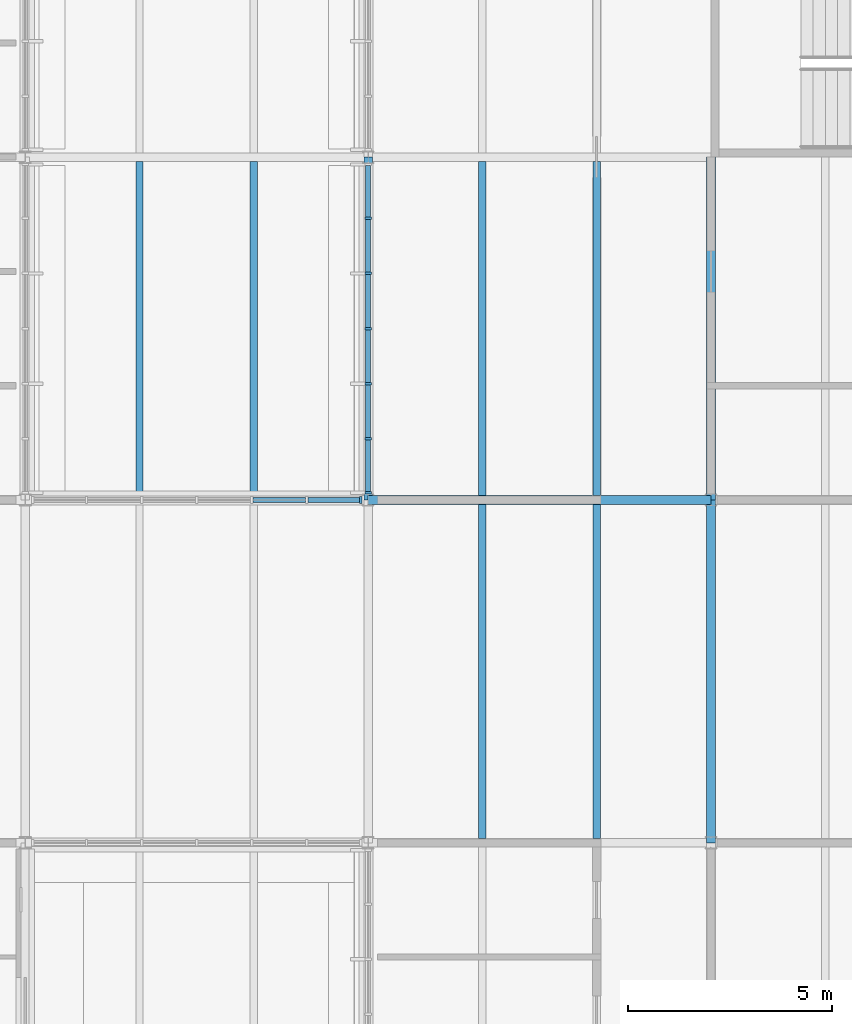
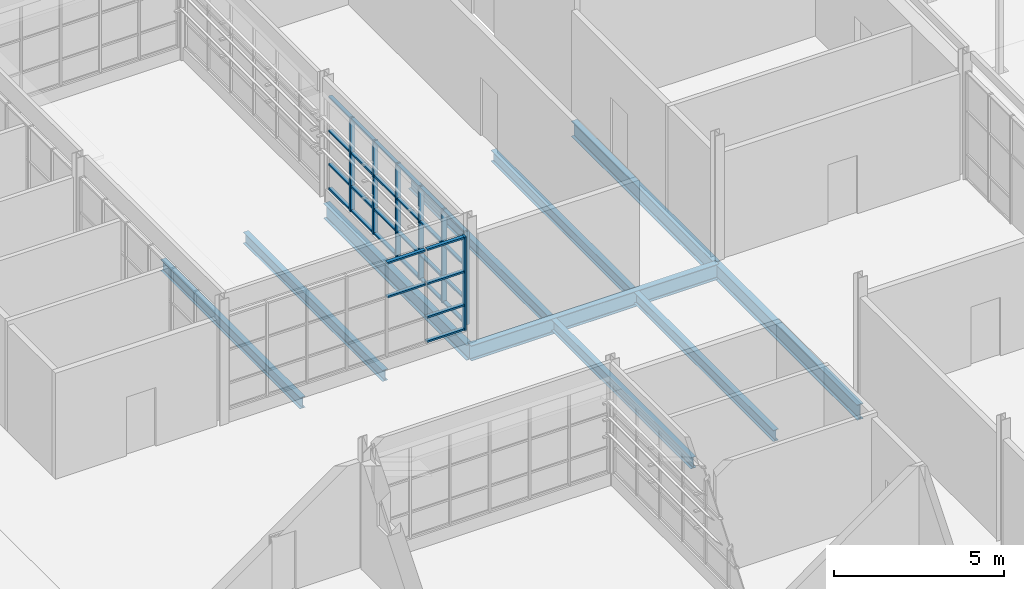
# One storey, part 51 of 116: 37 members, 10 beams, 2 elements without a shape of their own.
"""IFC4 building model written with IfcOpenShell, lengths in metres."""

from ifc_helpers import new_model, si_unit, direction, frame, origin, origin_2d, place, context, subcontext, project, spatial, rectangle, i_section, extrude, material, layer, layer_set, material_profile, profile_set, type_object, element, aggregate, save


model = new_model("IFC4")

# Units and contexts
model_context = context("Model", 3, precision=1e-05, world=origin(), true_north=direction((0.0, 1.0)))
body_context = subcontext(model_context, "Body", "Model", "MODEL_VIEW")
ifc_project = project(units=[si_unit("LENGTHUNIT", "METRE"), si_unit("AREAUNIT", "SQUARE_METRE"), si_unit("VOLUMEUNIT", "CUBIC_METRE"), si_unit("PLANEANGLEUNIT", "RADIAN"), si_unit("MASSUNIT", "GRAM", prefix="KILO")], contexts=[model_context])

# Site, building, storey
site_placement = place(None, origin())
site = spatial("IfcSite", under=ifc_project, at=site_placement, CompositionType="ELEMENT")
building_placement = place(site_placement, origin())
building = spatial("IfcBuilding", under=site, at=building_placement, Name="Ardhachandra Cancer Care Centre", CompositionType="ELEMENT")
storey_placement = place(building_placement, origin())
storey = spatial("IfcBuildingStorey", under=building, at=storey_placement, Name="L00", CompositionType="ELEMENT", Elevation=0.0)

# Beams
ifc_material_1 = material(Name="Steel E350 (IS 2062)", Category="steel")
ifc_material_profile_1 = material_profile(ifc_material_1, i_section(OverallWidth=0.179931640625, OverallDepth=0.39990234375, WebThickness=0.008544921875, FlangeThickness=0.013427734375, FilletRadius=0.02099609375, at=origin_2d()), Name="NPB 400x180x66.30")
ifc_profile_set_1 = profile_set([ifc_material_profile_1], Name="Steel E350 (IS 2062)")
beam_type_1 = type_object("IfcBeamType", Name="Beam NPB 400x180x66.30", PredefinedType="BEAM", material=ifc_profile_set_1)
for number, where, z_axis, x_axis, name in (
    (1, (122.800048828125, 63.10498046875, -0.35009765625), (0.0, 1.0, 0.0), (-1.0, 0.0, 0.0), "Secondary G14-H14@2800"),
    (2, (125.60009765625, 63.10498046875, -0.35009765625), (0.0, 1.0, 0.0), (-1.0, 0.0, 0.0), "Secondary G14-H14@5600"),
    (3, (131.199951171875, 54.705078125, -0.35009765625), (0.0, 1.0, 0.0), (-1.0, 0.0, 0.0), "Secondary F15-G15@2800"),
    (4, (131.199951171875, 63.10498046875, -0.35009765625), (0.0, 1.0, 0.0), (-1.0, 0.0, 0.0), "Secondary G15-H15@2800"),
    (5, (134.0, 54.705078125, -0.35009765625), (0.0, 1.0, 0.0), (-1.0, 0.0, 0.0), "Secondary F15-G15@5600"),
    (6, (134.0, 63.10498046875, -0.35009765625), (0.0, 1.0, 0.0), (-1.0, 0.0, 0.0), "Secondary G15-H15@5600"),
):
    element("IfcBeam", number, at=place(storey_placement, frame(where, z_axis=z_axis, x_axis=x_axis)), inside=storey, type_object=beam_type_1, Name=name, PredefinedType="BEAM", context=body_context, shape_type="SweptSolid", body=[
        extrude(i_section(OverallWidth=0.179931640625, OverallDepth=0.39990234375, WebThickness=0.008544921875, FlangeThickness=0.013427734375, FilletRadius=0.02099609375, at=origin_2d()), origin(), (0.0, 0.0, 1.0), 8.18994140625),
    ])
ifc_material_2 = material(Name="Steel E350 (IS 2062)", Category="steel")
ifc_material_profile_2 = material_profile(ifc_material_2, i_section(OverallWidth=0.2099609375, OverallDepth=0.550048828125, WebThickness=0.010986328125, FlangeThickness=0.01708984375, FilletRadius=0.02392578125, at=origin_2d()), Name="NPB 550x210x105.52")
ifc_profile_set_2 = profile_set([ifc_material_profile_2], Name="Steel E350 (IS 2062)")
beam_type_2 = type_object("IfcBeamType", Name="Beam NPB 550x210x105.52", PredefinedType="BEAM", material=ifc_profile_set_2)
beam_placement = place(storey_placement, frame((128.39990234375, 63.0, -0.425048828125), z_axis=(1.0, 0.0, 0.0), x_axis=(0.0, 1.0, 0.0)))
element("IfcBeam", 7, at=beam_placement, inside=storey, type_object=beam_type_2, Name="Girder G15-G16", PredefinedType="BEAM", context=body_context, shape_type="SweptSolid", body=[
    extrude(i_section(OverallWidth=0.2099609375, OverallDepth=0.550048828125, WebThickness=0.010986328125, FlangeThickness=0.01708984375, FilletRadius=0.02392578125, at=origin_2d()), origin(), (0.0, 0.0, 1.0), 8.400146484375),
])
for number, where, z_axis, x_axis, name in (
    (8, (128.39990234375, 63.0, -0.425048828125), (0.0, 1.0, 0.0), (-1.0, 0.0, 0.0), "Girder G15-H15"),
    (9, (136.800048828125, 54.60009765625, -0.425048828125), (0.0, 1.0, 0.0), (-1.0, 0.0, 0.0), "Girder F16-G16"),
    (10, (136.800048828125, 63.0, -0.425048828125), (0.0, 1.0, 0.0), (-1.0, 0.0, 0.0), "Girder G16-H16"),
):
    element("IfcBeam", number, at=place(storey_placement, frame(where, z_axis=z_axis, x_axis=x_axis)), inside=storey, type_object=beam_type_2, Name=name, PredefinedType="BEAM", context=body_context, shape_type="SweptSolid", body=[
        extrude(i_section(OverallWidth=0.2099609375, OverallDepth=0.550048828125, WebThickness=0.010986328125, FlangeThickness=0.01708984375, FilletRadius=0.02392578125, at=origin_2d()), origin(), (0.0, 0.0, 1.0), 8.39990234375),
    ])

# Curtain wall, member
ifc_material_3 = material(Name="Aluminium extrusion", Category="aluminium")
ifc_layer = layer(ifc_material_3, 0.14990234375)
ifc_layer_set = layer_set([ifc_layer], Name="Aluminium extrusion")
curtain_wall_type = type_object("IfcCurtainWallType", Name="Curtain wall run", PredefinedType="NOTDEFINED", material=ifc_layer_set)
curtain_wall_1_placement = place(storey_placement, origin())
curtain_wall_1 = element("IfcCurtainWall", 11, at=curtain_wall_1_placement, inside=storey, type_object=curtain_wall_type, Name="Curtain wall L00 n/0120000_0063000", PredefinedType="NOTDEFINED")
ifc_material_4 = material(Name="Aluminium extrusion", Category="aluminium")
ifc_material_profile_3 = material_profile(ifc_material_4, rectangle(XDim=0.159912109375, YDim=0.06005859375, at=origin_2d()), Name="Curtain wall mullion 60 x 160")
ifc_profile_set_3 = profile_set([ifc_material_profile_3], Name="Aluminium extrusion")
member_type_1 = type_object("IfcMemberType", Name="Curtain wall mullion 60 x 160", PredefinedType="MULLION", material=ifc_profile_set_3)
member_1_placement = place(storey_placement, frame((128.219970703125, 63.0, 0.449951171875), z_axis=(0.0, 0.0, 1.0), x_axis=(0.0, 1.0, 0.0)))
member_1 = element("IfcMember", 12, at=member_1_placement, type_object=member_type_1, Name="CW mullion 7", PredefinedType="MULLION", context=body_context, shape_type="SweptSolid", body=[
    extrude(rectangle(XDim=0.159912109375, YDim=0.06005859375, at=origin_2d()), origin(), (0.0, 0.0, 1.0), 3.35009765625),
])

# Curtain wall, members
curtain_wall_2_placement = place(storey_placement, origin())
curtain_wall_2 = element("IfcCurtainWall", 13, at=curtain_wall_2_placement, inside=storey, type_object=curtain_wall_type, Name="Curtain wall L00 w/0128400_0063000", PredefinedType="NOTDEFINED")
member_2_placement = place(storey_placement, frame((128.39990234375, 63.179931640625, 0.449951171875), z_axis=(0.0, 0.0, 1.0), x_axis=(-1.0, 0.0, 0.0)))
member_2 = element("IfcMember", 14, at=member_2_placement, type_object=member_type_1, Name="CW mullion 1", PredefinedType="MULLION", context=body_context, shape_type="SweptSolid", body=[
    extrude(rectangle(XDim=0.159912109375, YDim=0.06005859375, at=origin_2d()), origin(), (0.0, 0.0, 1.0), 3.35009765625),
])
member_3_placement = place(storey_placement, frame((128.39990234375, 64.5, 0.449951171875), z_axis=(0.0, 0.0, 1.0), x_axis=(-1.0, 0.0, 0.0)))
member_3 = element("IfcMember", 15, at=member_3_placement, type_object=member_type_1, Name="CW mullion 2", PredefinedType="MULLION", context=body_context, shape_type="SweptSolid", body=[
    extrude(rectangle(XDim=0.159912109375, YDim=0.06005859375, at=origin_2d()), origin(), (0.0, 0.0, 1.0), 3.35009765625),
])
member_4_placement = place(storey_placement, frame((128.39990234375, 65.85009765625, 0.449951171875), z_axis=(0.0, 0.0, 1.0), x_axis=(-1.0, 0.0, 0.0)))
member_4 = element("IfcMember", 16, at=member_4_placement, type_object=member_type_1, Name="CW mullion 3", PredefinedType="MULLION", context=body_context, shape_type="SweptSolid", body=[
    extrude(rectangle(XDim=0.159912109375, YDim=0.06005859375, at=origin_2d()), origin(), (0.0, 0.0, 1.0), 3.35009765625),
])
member_5_placement = place(storey_placement, frame((128.39990234375, 67.199951171875, 0.449951171875), z_axis=(0.0, 0.0, 1.0), x_axis=(-1.0, 0.0, 0.0)))
member_5 = element("IfcMember", 17, at=member_5_placement, type_object=member_type_1, Name="CW mullion 4", PredefinedType="MULLION", context=body_context, shape_type="SweptSolid", body=[
    extrude(rectangle(XDim=0.159912109375, YDim=0.06005859375, at=origin_2d()), origin(), (0.0, 0.0, 1.0), 3.35009765625),
])
member_6_placement = place(storey_placement, frame((128.39990234375, 68.550048828125, 0.449951171875), z_axis=(0.0, 0.0, 1.0), x_axis=(-1.0, 0.0, 0.0)))
member_6 = element("IfcMember", 18, at=member_6_placement, type_object=member_type_1, Name="CW mullion 5", PredefinedType="MULLION", context=body_context, shape_type="SweptSolid", body=[
    extrude(rectangle(XDim=0.159912109375, YDim=0.06005859375, at=origin_2d()), origin(), (0.0, 0.0, 1.0), 3.35009765625),
])
member_7_placement = place(storey_placement, frame((128.39990234375, 69.89990234375, 0.449951171875), z_axis=(0.0, 0.0, 1.0), x_axis=(-1.0, 0.0, 0.0)))
member_7 = element("IfcMember", 19, at=member_7_placement, type_object=member_type_1, Name="CW mullion 6", PredefinedType="MULLION", context=body_context, shape_type="SweptSolid", body=[
    extrude(rectangle(XDim=0.159912109375, YDim=0.06005859375, at=origin_2d()), origin(), (0.0, 0.0, 1.0), 3.35009765625),
])

# Member
ifc_material_5 = material(Name="Aluminium extrusion", Category="aluminium")
ifc_material_profile_4 = material_profile(ifc_material_5, rectangle(XDim=0.1201171875, YDim=0.06005859375, at=origin_2d()), Name="Curtain wall transom 60 x 120")
ifc_profile_set_4 = profile_set([ifc_material_profile_4], Name="Aluminium extrusion")
member_type_2 = type_object("IfcMemberType", Name="Curtain wall transom 60 x 120", PredefinedType="USERDEFINED", material=ifc_profile_set_4)
member_8_placement = place(storey_placement, frame((125.580078125, 63.0, 2.550048828125), z_axis=(1.0, 0.0, 0.0), x_axis=(0.0, 1.0, 0.0)))
member_8 = element("IfcMember", 20, at=member_8_placement, type_object=member_type_2, Name="CW transom 5.3", ObjectType="TRANSOM", PredefinedType="USERDEFINED", context=body_context, shape_type="SweptSolid", body=[
    extrude(rectangle(XDim=0.1201171875, YDim=0.06005859375, at=origin_2d()), origin(), (0.0, 0.0, 1.0), 1.2900390625),
])

member_9_placement = place(storey_placement, frame((125.580078125, 63.0, 3.77001953125), z_axis=(1.0, 0.0, 0.0), x_axis=(0.0, 1.0, 0.0)))
member_9 = element("IfcMember", 21, at=member_9_placement, type_object=member_type_2, Name="CW transom 5.4", ObjectType="TRANSOM", PredefinedType="USERDEFINED", context=body_context, shape_type="SweptSolid", body=[
    extrude(rectangle(XDim=0.1201171875, YDim=0.06005859375, at=origin_2d()), origin(), (0.0, 0.0, 1.0), 1.2900390625),
])

member_10_placement = place(storey_placement, frame((126.929931640625, 63.0, 0.47998046875), z_axis=(1.0, 0.0, 0.0), x_axis=(0.0, 1.0, 0.0)))
member_10 = element("IfcMember", 22, at=member_10_placement, type_object=member_type_2, Name="CW transom 6.1", ObjectType="TRANSOM", PredefinedType="USERDEFINED", context=body_context, shape_type="SweptSolid", body=[
    extrude(rectangle(XDim=0.1201171875, YDim=0.06005859375, at=origin_2d()), origin(), (0.0, 0.0, 1.0), 1.260009765625),
])

member_11_placement = place(storey_placement, frame((126.929931640625, 63.0, 1.35009765625), z_axis=(1.0, 0.0, 0.0), x_axis=(0.0, 1.0, 0.0)))
member_11 = element("IfcMember", 23, at=member_11_placement, type_object=member_type_2, Name="CW transom 6.2", ObjectType="TRANSOM", PredefinedType="USERDEFINED", context=body_context, shape_type="SweptSolid", body=[
    extrude(rectangle(XDim=0.1201171875, YDim=0.06005859375, at=origin_2d()), origin(), (0.0, 0.0, 1.0), 1.260009765625),
])

member_12_placement = place(storey_placement, frame((126.929931640625, 63.0, 2.550048828125), z_axis=(1.0, 0.0, 0.0), x_axis=(0.0, 1.0, 0.0)))
member_12 = element("IfcMember", 24, at=member_12_placement, type_object=member_type_2, Name="CW transom 6.3", ObjectType="TRANSOM", PredefinedType="USERDEFINED", context=body_context, shape_type="SweptSolid", body=[
    extrude(rectangle(XDim=0.1201171875, YDim=0.06005859375, at=origin_2d()), origin(), (0.0, 0.0, 1.0), 1.260009765625),
])

member_13_placement = place(storey_placement, frame((126.929931640625, 63.0, 3.77001953125), z_axis=(1.0, 0.0, 0.0), x_axis=(0.0, 1.0, 0.0)))
member_13 = element("IfcMember", 25, at=member_13_placement, type_object=member_type_2, Name="CW transom 6.4", ObjectType="TRANSOM", PredefinedType="USERDEFINED", context=body_context, shape_type="SweptSolid", body=[
    extrude(rectangle(XDim=0.1201171875, YDim=0.06005859375, at=origin_2d()), origin(), (0.0, 0.0, 1.0), 1.260009765625),
])

aggregate(curtain_wall_1, [member_1, member_8, member_9, member_10, member_11, member_12, member_13])

member_14_placement = place(storey_placement, frame((128.39990234375, 63.2099609375, 0.47998046875), z_axis=(0.0, 1.0, 0.0), x_axis=(-1.0, 0.0, 0.0)))
member_14 = element("IfcMember", 26, at=member_14_placement, type_object=member_type_2, Name="CW transom 1.1", ObjectType="TRANSOM", PredefinedType="USERDEFINED", context=body_context, shape_type="SweptSolid", body=[
    extrude(rectangle(XDim=0.1201171875, YDim=0.06005859375, at=origin_2d()), origin(), (0.0, 0.0, 1.0), 1.260009765625),
])

member_15_placement = place(storey_placement, frame((128.39990234375, 63.2099609375, 1.35009765625), z_axis=(0.0, 1.0, 0.0), x_axis=(-1.0, 0.0, 0.0)))
member_15 = element("IfcMember", 27, at=member_15_placement, type_object=member_type_2, Name="CW transom 1.2", ObjectType="TRANSOM", PredefinedType="USERDEFINED", context=body_context, shape_type="SweptSolid", body=[
    extrude(rectangle(XDim=0.1201171875, YDim=0.06005859375, at=origin_2d()), origin(), (0.0, 0.0, 1.0), 1.260009765625),
])

member_16_placement = place(storey_placement, frame((128.39990234375, 63.2099609375, 2.550048828125), z_axis=(0.0, 1.0, 0.0), x_axis=(-1.0, 0.0, 0.0)))
member_16 = element("IfcMember", 28, at=member_16_placement, type_object=member_type_2, Name="CW transom 1.3", ObjectType="TRANSOM", PredefinedType="USERDEFINED", context=body_context, shape_type="SweptSolid", body=[
    extrude(rectangle(XDim=0.1201171875, YDim=0.06005859375, at=origin_2d()), origin(), (0.0, 0.0, 1.0), 1.260009765625),
])

member_17_placement = place(storey_placement, frame((128.39990234375, 63.2099609375, 3.77001953125), z_axis=(0.0, 1.0, 0.0), x_axis=(-1.0, 0.0, 0.0)))
member_17 = element("IfcMember", 29, at=member_17_placement, type_object=member_type_2, Name="CW transom 1.4", ObjectType="TRANSOM", PredefinedType="USERDEFINED", context=body_context, shape_type="SweptSolid", body=[
    extrude(rectangle(XDim=0.1201171875, YDim=0.06005859375, at=origin_2d()), origin(), (0.0, 0.0, 1.0), 1.260009765625),
])

member_18_placement = place(storey_placement, frame((128.39990234375, 64.530029296875, 0.47998046875), z_axis=(0.0, 1.0, 0.0), x_axis=(-1.0, 0.0, 0.0)))
member_18 = element("IfcMember", 30, at=member_18_placement, type_object=member_type_2, Name="CW transom 2.1", ObjectType="TRANSOM", PredefinedType="USERDEFINED", context=body_context, shape_type="SweptSolid", body=[
    extrude(rectangle(XDim=0.1201171875, YDim=0.06005859375, at=origin_2d()), origin(), (0.0, 0.0, 1.0), 1.2900390625),
])

member_19_placement = place(storey_placement, frame((128.39990234375, 64.530029296875, 1.35009765625), z_axis=(0.0, 1.0, 0.0), x_axis=(-1.0, 0.0, 0.0)))
member_19 = element("IfcMember", 31, at=member_19_placement, type_object=member_type_2, Name="CW transom 2.2", ObjectType="TRANSOM", PredefinedType="USERDEFINED", context=body_context, shape_type="SweptSolid", body=[
    extrude(rectangle(XDim=0.1201171875, YDim=0.06005859375, at=origin_2d()), origin(), (0.0, 0.0, 1.0), 1.2900390625),
])

member_20_placement = place(storey_placement, frame((128.39990234375, 64.530029296875, 2.550048828125), z_axis=(0.0, 1.0, 0.0), x_axis=(-1.0, 0.0, 0.0)))
member_20 = element("IfcMember", 32, at=member_20_placement, type_object=member_type_2, Name="CW transom 2.3", ObjectType="TRANSOM", PredefinedType="USERDEFINED", context=body_context, shape_type="SweptSolid", body=[
    extrude(rectangle(XDim=0.1201171875, YDim=0.06005859375, at=origin_2d()), origin(), (0.0, 0.0, 1.0), 1.2900390625),
])

member_21_placement = place(storey_placement, frame((128.39990234375, 64.530029296875, 3.77001953125), z_axis=(0.0, 1.0, 0.0), x_axis=(-1.0, 0.0, 0.0)))
member_21 = element("IfcMember", 33, at=member_21_placement, type_object=member_type_2, Name="CW transom 2.4", ObjectType="TRANSOM", PredefinedType="USERDEFINED", context=body_context, shape_type="SweptSolid", body=[
    extrude(rectangle(XDim=0.1201171875, YDim=0.06005859375, at=origin_2d()), origin(), (0.0, 0.0, 1.0), 1.2900390625),
])

member_22_placement = place(storey_placement, frame((128.39990234375, 65.8798828125, 0.47998046875), z_axis=(0.0, 1.0, 0.0), x_axis=(-1.0, 0.0, 0.0)))
member_22 = element("IfcMember", 34, at=member_22_placement, type_object=member_type_2, Name="CW transom 3.1", ObjectType="TRANSOM", PredefinedType="USERDEFINED", context=body_context, shape_type="SweptSolid", body=[
    extrude(rectangle(XDim=0.1201171875, YDim=0.06005859375, at=origin_2d()), origin(), (0.0, 0.0, 1.0), 1.2900390625),
])

member_23_placement = place(storey_placement, frame((128.39990234375, 65.8798828125, 1.35009765625), z_axis=(0.0, 1.0, 0.0), x_axis=(-1.0, 0.0, 0.0)))
member_23 = element("IfcMember", 35, at=member_23_placement, type_object=member_type_2, Name="CW transom 3.2", ObjectType="TRANSOM", PredefinedType="USERDEFINED", context=body_context, shape_type="SweptSolid", body=[
    extrude(rectangle(XDim=0.1201171875, YDim=0.06005859375, at=origin_2d()), origin(), (0.0, 0.0, 1.0), 1.2900390625),
])

member_24_placement = place(storey_placement, frame((128.39990234375, 65.8798828125, 2.550048828125), z_axis=(0.0, 1.0, 0.0), x_axis=(-1.0, 0.0, 0.0)))
member_24 = element("IfcMember", 36, at=member_24_placement, type_object=member_type_2, Name="CW transom 3.3", ObjectType="TRANSOM", PredefinedType="USERDEFINED", context=body_context, shape_type="SweptSolid", body=[
    extrude(rectangle(XDim=0.1201171875, YDim=0.06005859375, at=origin_2d()), origin(), (0.0, 0.0, 1.0), 1.2900390625),
])

member_25_placement = place(storey_placement, frame((128.39990234375, 65.8798828125, 3.77001953125), z_axis=(0.0, 1.0, 0.0), x_axis=(-1.0, 0.0, 0.0)))
member_25 = element("IfcMember", 37, at=member_25_placement, type_object=member_type_2, Name="CW transom 3.4", ObjectType="TRANSOM", PredefinedType="USERDEFINED", context=body_context, shape_type="SweptSolid", body=[
    extrude(rectangle(XDim=0.1201171875, YDim=0.06005859375, at=origin_2d()), origin(), (0.0, 0.0, 1.0), 1.2900390625),
])

member_26_placement = place(storey_placement, frame((128.39990234375, 67.22998046875, 0.47998046875), z_axis=(0.0, 1.0, 0.0), x_axis=(-1.0, 0.0, 0.0)))
member_26 = element("IfcMember", 38, at=member_26_placement, type_object=member_type_2, Name="CW transom 4.1", ObjectType="TRANSOM", PredefinedType="USERDEFINED", context=body_context, shape_type="SweptSolid", body=[
    extrude(rectangle(XDim=0.1201171875, YDim=0.06005859375, at=origin_2d()), origin(), (0.0, 0.0, 1.0), 1.2900390625),
])

member_27_placement = place(storey_placement, frame((128.39990234375, 67.22998046875, 1.35009765625), z_axis=(0.0, 1.0, 0.0), x_axis=(-1.0, 0.0, 0.0)))
member_27 = element("IfcMember", 39, at=member_27_placement, type_object=member_type_2, Name="CW transom 4.2", ObjectType="TRANSOM", PredefinedType="USERDEFINED", context=body_context, shape_type="SweptSolid", body=[
    extrude(rectangle(XDim=0.1201171875, YDim=0.06005859375, at=origin_2d()), origin(), (0.0, 0.0, 1.0), 1.2900390625),
])

member_28_placement = place(storey_placement, frame((128.39990234375, 67.22998046875, 2.550048828125), z_axis=(0.0, 1.0, 0.0), x_axis=(-1.0, 0.0, 0.0)))
member_28 = element("IfcMember", 40, at=member_28_placement, type_object=member_type_2, Name="CW transom 4.3", ObjectType="TRANSOM", PredefinedType="USERDEFINED", context=body_context, shape_type="SweptSolid", body=[
    extrude(rectangle(XDim=0.1201171875, YDim=0.06005859375, at=origin_2d()), origin(), (0.0, 0.0, 1.0), 1.2900390625),
])

member_29_placement = place(storey_placement, frame((128.39990234375, 67.22998046875, 3.77001953125), z_axis=(0.0, 1.0, 0.0), x_axis=(-1.0, 0.0, 0.0)))
member_29 = element("IfcMember", 41, at=member_29_placement, type_object=member_type_2, Name="CW transom 4.4", ObjectType="TRANSOM", PredefinedType="USERDEFINED", context=body_context, shape_type="SweptSolid", body=[
    extrude(rectangle(XDim=0.1201171875, YDim=0.06005859375, at=origin_2d()), origin(), (0.0, 0.0, 1.0), 1.2900390625),
])

member_30_placement = place(storey_placement, frame((128.39990234375, 68.580078125, 0.47998046875), z_axis=(0.0, 1.0, 0.0), x_axis=(-1.0, 0.0, 0.0)))
member_30 = element("IfcMember", 42, at=member_30_placement, type_object=member_type_2, Name="CW transom 5.1", ObjectType="TRANSOM", PredefinedType="USERDEFINED", context=body_context, shape_type="SweptSolid", body=[
    extrude(rectangle(XDim=0.1201171875, YDim=0.06005859375, at=origin_2d()), origin(), (0.0, 0.0, 1.0), 1.2900390625),
])

member_31_placement = place(storey_placement, frame((128.39990234375, 68.580078125, 1.35009765625), z_axis=(0.0, 1.0, 0.0), x_axis=(-1.0, 0.0, 0.0)))
member_31 = element("IfcMember", 43, at=member_31_placement, type_object=member_type_2, Name="CW transom 5.2", ObjectType="TRANSOM", PredefinedType="USERDEFINED", context=body_context, shape_type="SweptSolid", body=[
    extrude(rectangle(XDim=0.1201171875, YDim=0.06005859375, at=origin_2d()), origin(), (0.0, 0.0, 1.0), 1.2900390625),
])

member_32_placement = place(storey_placement, frame((128.39990234375, 68.580078125, 2.550048828125), z_axis=(0.0, 1.0, 0.0), x_axis=(-1.0, 0.0, 0.0)))
member_32 = element("IfcMember", 44, at=member_32_placement, type_object=member_type_2, Name="CW transom 5.3", ObjectType="TRANSOM", PredefinedType="USERDEFINED", context=body_context, shape_type="SweptSolid", body=[
    extrude(rectangle(XDim=0.1201171875, YDim=0.06005859375, at=origin_2d()), origin(), (0.0, 0.0, 1.0), 1.2900390625),
])

member_33_placement = place(storey_placement, frame((128.39990234375, 68.580078125, 3.77001953125), z_axis=(0.0, 1.0, 0.0), x_axis=(-1.0, 0.0, 0.0)))
member_33 = element("IfcMember", 45, at=member_33_placement, type_object=member_type_2, Name="CW transom 5.4", ObjectType="TRANSOM", PredefinedType="USERDEFINED", context=body_context, shape_type="SweptSolid", body=[
    extrude(rectangle(XDim=0.1201171875, YDim=0.06005859375, at=origin_2d()), origin(), (0.0, 0.0, 1.0), 1.2900390625),
])

member_34_placement = place(storey_placement, frame((128.39990234375, 69.929931640625, 0.47998046875), z_axis=(0.0, 1.0, 0.0), x_axis=(-1.0, 0.0, 0.0)))
member_34 = element("IfcMember", 46, at=member_34_placement, type_object=member_type_2, Name="CW transom 6.1", ObjectType="TRANSOM", PredefinedType="USERDEFINED", context=body_context, shape_type="SweptSolid", body=[
    extrude(rectangle(XDim=0.1201171875, YDim=0.06005859375, at=origin_2d()), origin(), (0.0, 0.0, 1.0), 1.260009765625),
])

member_35_placement = place(storey_placement, frame((128.39990234375, 69.929931640625, 1.35009765625), z_axis=(0.0, 1.0, 0.0), x_axis=(-1.0, 0.0, 0.0)))
member_35 = element("IfcMember", 47, at=member_35_placement, type_object=member_type_2, Name="CW transom 6.2", ObjectType="TRANSOM", PredefinedType="USERDEFINED", context=body_context, shape_type="SweptSolid", body=[
    extrude(rectangle(XDim=0.1201171875, YDim=0.06005859375, at=origin_2d()), origin(), (0.0, 0.0, 1.0), 1.260009765625),
])

member_36_placement = place(storey_placement, frame((128.39990234375, 69.929931640625, 2.550048828125), z_axis=(0.0, 1.0, 0.0), x_axis=(-1.0, 0.0, 0.0)))
member_36 = element("IfcMember", 48, at=member_36_placement, type_object=member_type_2, Name="CW transom 6.3", ObjectType="TRANSOM", PredefinedType="USERDEFINED", context=body_context, shape_type="SweptSolid", body=[
    extrude(rectangle(XDim=0.1201171875, YDim=0.06005859375, at=origin_2d()), origin(), (0.0, 0.0, 1.0), 1.260009765625),
])

member_37_placement = place(storey_placement, frame((128.39990234375, 69.929931640625, 3.77001953125), z_axis=(0.0, 1.0, 0.0), x_axis=(-1.0, 0.0, 0.0)))
member_37 = element("IfcMember", 49, at=member_37_placement, type_object=member_type_2, Name="CW transom 6.4", ObjectType="TRANSOM", PredefinedType="USERDEFINED", context=body_context, shape_type="SweptSolid", body=[
    extrude(rectangle(XDim=0.1201171875, YDim=0.06005859375, at=origin_2d()), origin(), (0.0, 0.0, 1.0), 1.260009765625),
])

aggregate(curtain_wall_2, [member_2, member_3, member_4, member_5, member_6, member_7, member_14, member_15, member_16, member_17, member_18, member_19, member_20, member_21, member_22, member_23, member_24, member_25, member_26, member_27, member_28, member_29, member_30, member_31, member_32, member_33, member_34, member_35, member_36, member_37])

save(model, "model.ifc")
